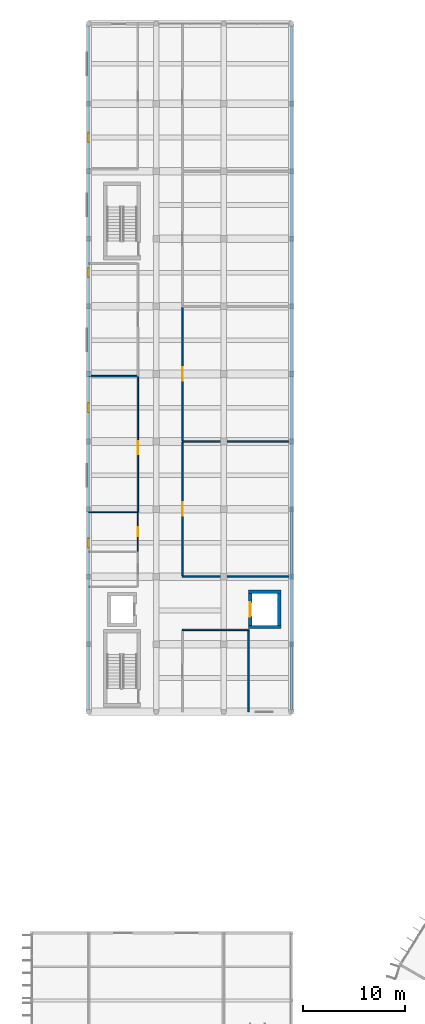
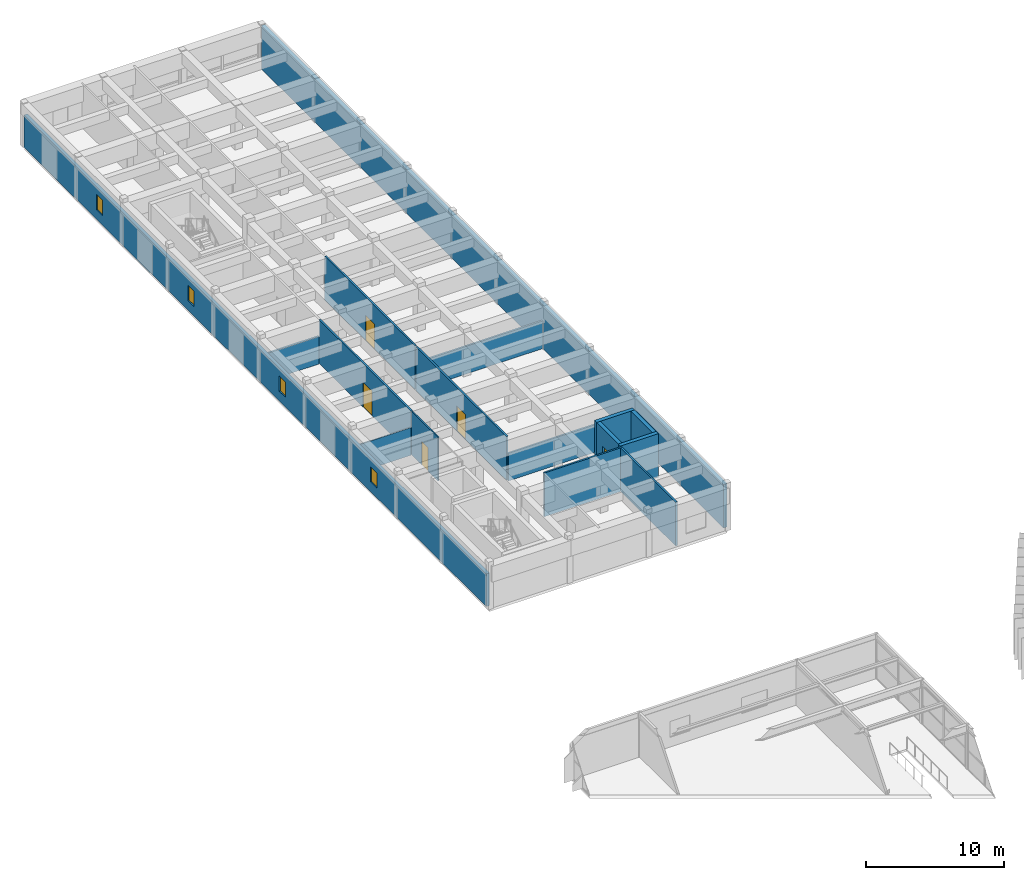
# One storey, part 142 of 157: 16 walls, 5 doors, 4 windows, 9 openings.
"""IFC4 building model written with IfcOpenShell, lengths in metres."""

from ifc_helpers import new_model, si_unit, direction, frame, frame_2d, origin, place, context, subcontext, project, spatial, rectangle, extrude, material, layer, layer_set, type_object, element, fill, save


model = new_model("IFC4")

# Units and contexts
model_context = context("Model", 3, precision=1e-05, world=origin(), true_north=direction((0.0, 1.0)))
body_context = subcontext(model_context, "Body", "Model", "MODEL_VIEW")
ifc_project = project(units=[si_unit("LENGTHUNIT", "METRE"), si_unit("AREAUNIT", "SQUARE_METRE"), si_unit("VOLUMEUNIT", "CUBIC_METRE"), si_unit("PLANEANGLEUNIT", "RADIAN"), si_unit("MASSUNIT", "GRAM", prefix="KILO")], contexts=[model_context])

# Site, building, storey
site_placement = place(None, origin())
site = spatial("IfcSite", under=ifc_project, at=site_placement, CompositionType="ELEMENT")
building_placement = place(site_placement, origin())
building = spatial("IfcBuilding", under=site, at=building_placement, Name="Karori Crest Natural Sciences Institute", CompositionType="ELEMENT")
storey_placement = place(building_placement, frame((0.0, 0.0, 13.300048828125)))
storey = spatial("IfcBuildingStorey", under=building, at=storey_placement, Name="L03", CompositionType="ELEMENT", Elevation=13.300048828125)

# Walls
ifc_material_1 = material(Name="Concrete 50 MPa", Category="concrete")
ifc_layer_1 = layer(ifc_material_1, 0.320068359375, Name="Concrete 50 MPa")
ifc_layer_set_1 = layer_set([ifc_layer_1], Name="Concrete 50 MPa")
wall_type_1 = type_object("IfcWallType", Name="IWT-03", PredefinedType="SHEAR", material=ifc_layer_set_1)
for number, where, z_axis, x_axis, name in (
    (1, (23.02001953125, 103.280029296875, 0.0), (0.0, 0.0, 1.0), (1.0, 0.0, 0.0), "Shear wall IW-0535"),
    (2, (23.02001953125, 106.719970703125, 0.0), (0.0, 0.0, 1.0), (1.0, 0.0, 0.0), "Shear wall IW-0536"),
):
    element("IfcWall", number, at=place(storey_placement, frame(where, z_axis=z_axis, x_axis=x_axis)), inside=storey, type_object=wall_type_1, Name=name, PredefinedType="SHEAR", context=body_context, shape_type="SweptSolid", body=[
        extrude(rectangle(XDim=3.159912109375, YDim=0.320068359375, at=frame_2d((1.580078125, 0.0))), origin(), (0.0, 0.0, 1.0), 3.849853515625),
    ])

# Wall, opening, door
wall_1_placement = place(storey_placement, frame((23.179931640625, 103.44189453125, 0.0), z_axis=(0.0, 0.0, 1.0), x_axis=(0.0, 1.0, 0.0)))
wall_1 = element("IfcWall", 3, at=wall_1_placement, inside=storey, type_object=wall_type_1, Name="Shear wall IW-0537", PredefinedType="SHEAR", context=body_context, shape_type="SweptSolid", body=[
    extrude(rectangle(XDim=3.1162109375, YDim=0.320068359375, at=frame_2d((1.55810546875, 0.0))), origin(), (0.0, 0.0, 1.0), 3.849853515625),
])
opening_1_placement = place(wall_1_placement, frame((0.85791015625, 0.0, 0.0)))
opening_1 = element("IfcOpeningElement", 4, at=opening_1_placement, cuts=wall_1, Name="Opening LD-0060", PredefinedType="OPENING", context=body_context, shape_type="SweptSolid", body=[
    extrude(rectangle(XDim=1.39990234375, YDim=2.25, at=frame_2d((0.699951171875, 1.125))), frame((0.0, 0.169921875, 0.0), z_axis=(0.0, -1.0, 0.0), x_axis=(1.0, 0.0, 0.0)), (0.0, 0.0, 1.0), 0.340087890625),
])
ifc_material_2 = material(Name="Stainless steel 316 and fire-rated timber", Category="steel")
door_type_1 = type_object("IfcDoorType", Name="LDT-03", OperationType="DOUBLE_DOOR_SLIDING", PredefinedType="DOOR", material=ifc_material_2)
door_1_placement = place(opening_1_placement, origin())
door_1 = element("IfcDoor", 5, at=door_1_placement, inside=storey, type_object=door_type_1, Name="Lift LG-01 landing door LD-0060", OperationType="DOUBLE_DOOR_SLIDING", OverallHeight=2.25, OverallWidth=1.39990234375, PredefinedType="DOOR", context=body_context, shape_type="SweptSolid", body=[
    extrude(rectangle(XDim=1.39990234375, YDim=2.25, at=frame_2d((0.699951171875, 1.125))), frame((0.0, 0.02490234375, 0.0), z_axis=(0.0, -1.0, 0.0), x_axis=(1.0, 0.0, 0.0)), (0.0, 0.0, 1.0), 0.050048828125),
])
fill(opening_1, door_1)

# Walls
wall_2_placement = place(storey_placement, frame((26.02001953125, 103.44189453125, 0.0), z_axis=(0.0, 0.0, 1.0), x_axis=(0.0, 1.0, 0.0)))
element("IfcWall", 6, at=wall_2_placement, inside=storey, type_object=wall_type_1, Name="Shear wall IW-0538", PredefinedType="SHEAR", context=body_context, shape_type="SweptSolid", body=[
    extrude(rectangle(XDim=3.1162109375, YDim=0.320068359375, at=frame_2d((1.55810546875, 0.0))), origin(), (0.0, 0.0, 1.0), 3.849853515625),
])
ifc_material_3 = material(Name="Clean-room insulated fire partition")
ifc_layer_2 = layer(ifc_material_3, 0.14990234375, Name="Clean-room insulated fire partition")
ifc_layer_set_2 = layer_set([ifc_layer_2], Name="Clean-room insulated fire partition")
wall_type_2 = type_object("IfcWallType", Name="IWT-06", PredefinedType="PARTITIONING", material=ifc_layer_set_2)
wall_3_placement = place(storey_placement, frame((7.39990234375, 127.800048828125, 0.0), z_axis=(0.0, 0.0, 1.0), x_axis=(1.0, 0.0, 0.0)))
element("IfcWall", 7, at=wall_3_placement, inside=storey, type_object=wall_type_2, Name="Partition wall IW-0985", PredefinedType="PARTITIONING", context=body_context, shape_type="SweptSolid", body=[
    extrude(rectangle(XDim=4.697998046875, YDim=0.14990234375, at=frame_2d((2.34912109375, 0.0))), origin(), (0.0, 0.0, 1.0), 2.43505859375),
])

# Wall, opening, door
wall_4_placement = place(storey_placement, frame((12.199951171875, 114.501953125, 0.0), z_axis=(0.0, 0.0, 1.0), x_axis=(0.0, 1.0, 0.0)))
wall_4 = element("IfcWall", 8, at=wall_4_placement, inside=storey, type_object=wall_type_2, Name="Partition wall IW-0986", PredefinedType="PARTITIONING", context=body_context, shape_type="SweptSolid", body=[
    extrude(rectangle(XDim=13.298095703125, YDim=0.14990234375, at=frame_2d((6.64892578125, 0.0))), origin(), (0.0, 0.0, 1.0), 3.849853515625),
])
opening_2_placement = place(wall_4_placement, frame((5.64892578125, 0.0, 0.0)))
opening_2 = element("IfcOpeningElement", 9, at=opening_2_placement, cuts=wall_4, Name="Opening ID-0264", PredefinedType="OPENING", context=body_context, shape_type="SweptSolid", body=[
    extrude(rectangle(XDim=1.300048828125, YDim=2.199951171875, at=frame_2d((0.64990234375, 1.10009765625))), frame((0.0, 0.0849609375, 0.0), z_axis=(0.0, -1.0, 0.0), x_axis=(1.0, 0.0, 0.0)), (0.0, 0.0, 1.0), 0.169921875),
])
door_type_2 = type_object("IfcDoorType", Name="IDT-04", OperationType="NOTDEFINED", PredefinedType="DOOR", material=ifc_material_2)
door_2_placement = place(opening_2_placement, origin())
door_2 = element("IfcDoor", 10, at=door_2_placement, inside=storey, type_object=door_type_2, Name="Clean-Room Gowning Airlock Suite door ID-0264", OperationType="SINGLE_SWING_RIGHT", OverallHeight=2.199951171875, OverallWidth=1.300048828125, PredefinedType="DOOR", context=body_context, shape_type="SweptSolid", body=[
    extrude(rectangle(XDim=1.300048828125, YDim=2.199951171875, at=frame_2d((0.64990234375, 1.10009765625))), frame((0.0, 0.02490234375, 0.0), z_axis=(0.0, -1.0, 0.0), x_axis=(1.0, 0.0, 0.0)), (0.0, 0.0, 1.0), 0.050048828125),
])
fill(opening_2, door_2)

# Walls
wall_5_placement = place(storey_placement, frame((16.550048828125, 103.0, 0.0), z_axis=(0.0, 0.0, 1.0), x_axis=(1.0, 0.0, 0.0)))
element("IfcWall", 11, at=wall_5_placement, inside=storey, type_object=wall_type_2, Name="Partition wall IW-0991", PredefinedType="PARTITIONING", context=body_context, shape_type="SweptSolid", body=[
    extrude(rectangle(XDim=6.449951171875, YDim=0.14990234375, at=frame_2d((3.22509765625, 0.0))), origin(), (0.0, 0.0, 1.0), 3.849853515625),
])
wall_6_placement = place(storey_placement, frame((23.0, 95.0, 0.0), z_axis=(0.0, 0.0, 1.0), x_axis=(0.0, 1.0, 0.0)))
element("IfcWall", 12, at=wall_6_placement, inside=storey, type_object=wall_type_2, Name="Partition wall IW-0993", PredefinedType="PARTITIONING", context=body_context, shape_type="SweptSolid", body=[
    extrude(rectangle(XDim=8.0, YDim=0.14990234375, at=frame_2d((4.0, 0.0))), origin(), (0.0, 0.0, 1.0), 3.849853515625),
])
for number, where, z_axis, x_axis, name in (
    (13, (16.550048828125, 108.199951171875, 0.0), (0.0, 0.0, 1.0), (1.0, 0.0, 0.0), "Partition wall IW-0994"),
    (14, (16.550048828125, 121.39990234375, 0.0), (0.0, 0.0, 1.0), (1.0, 0.0, 0.0), "Partition wall IW-0995"),
):
    element("IfcWall", number, at=place(storey_placement, frame(where, z_axis=z_axis, x_axis=x_axis)), inside=storey, type_object=wall_type_2, Name=name, PredefinedType="PARTITIONING", context=body_context, shape_type="SweptSolid", body=[
        extrude(rectangle(XDim=10.537841796875, YDim=0.14990234375, at=frame_2d((5.26904296875, 0.0))), origin(), (0.0, 0.0, 1.0), 2.43505859375),
    ])

# Wall, opening, door
wall_7_placement = place(storey_placement, frame((16.550048828125, 108.277099609375, 0.0), z_axis=(0.0, 0.0, 1.0), x_axis=(0.0, 1.0, 0.0)))
wall_7 = element("IfcWall", 15, at=wall_7_placement, inside=storey, type_object=wall_type_2, Name="Partition wall IW-0996", PredefinedType="PARTITIONING", context=body_context, shape_type="SweptSolid", body=[
    extrude(rectangle(XDim=13.0458984375, YDim=0.14990234375, at=frame_2d((6.52294921875, 0.0))), origin(), (0.0, 0.0, 1.0), 3.849853515625),
])
opening_3_placement = place(wall_7_placement, frame((5.873046875, 0.0, 0.0)))
opening_3 = element("IfcOpeningElement", 16, at=opening_3_placement, cuts=wall_7, Name="Opening ID-0268", PredefinedType="OPENING", context=body_context, shape_type="SweptSolid", body=[
    extrude(rectangle(XDim=1.300048828125, YDim=2.199951171875, at=frame_2d((0.64990234375, 1.10009765625))), frame((0.0, 0.0849609375, 0.0), z_axis=(0.0, -1.0, 0.0), x_axis=(1.0, 0.0, 0.0)), (0.0, 0.0, 1.0), 0.169921875),
])
door_3_placement = place(opening_3_placement, origin())
door_3 = element("IfcDoor", 17, at=door_3_placement, inside=storey, type_object=door_type_2, Name="ISO Class 6 Nanofabrication Clean Room door ID-0268", OperationType="SINGLE_SWING_RIGHT", OverallHeight=2.199951171875, OverallWidth=1.300048828125, PredefinedType="DOOR", context=body_context, shape_type="SweptSolid", body=[
    extrude(rectangle(XDim=1.300048828125, YDim=2.199951171875, at=frame_2d((0.64990234375, 1.10009765625))), frame((0.0, 0.02490234375, 0.0), z_axis=(0.0, -1.0, 0.0), x_axis=(1.0, 0.0, 0.0)), (0.0, 0.0, 1.0), 0.050048828125),
])
fill(opening_3, door_3)

wall_8_placement = place(storey_placement, frame((16.550048828125, 121.47705078125, 0.0), z_axis=(0.0, 0.0, 1.0), x_axis=(0.0, 1.0, 0.0)))
wall_8 = element("IfcWall", 18, at=wall_8_placement, inside=storey, type_object=wall_type_2, Name="Partition wall IW-0998", PredefinedType="PARTITIONING", context=body_context, shape_type="SweptSolid", body=[
    extrude(rectangle(XDim=13.0458984375, YDim=0.14990234375, at=frame_2d((6.52294921875, 0.0))), origin(), (0.0, 0.0, 1.0), 3.849853515625),
])
opening_4_placement = place(wall_8_placement, frame((5.873046875, 0.0, 0.0)))
opening_4 = element("IfcOpeningElement", 19, at=opening_4_placement, cuts=wall_8, Name="Opening ID-0269", PredefinedType="OPENING", context=body_context, shape_type="SweptSolid", body=[
    extrude(rectangle(XDim=1.300048828125, YDim=2.199951171875, at=frame_2d((0.64990234375, 1.10009765625))), frame((0.0, 0.0849609375, 0.0), z_axis=(0.0, -1.0, 0.0), x_axis=(1.0, 0.0, 0.0)), (0.0, 0.0, 1.0), 0.169921875),
])
door_4_placement = place(opening_4_placement, origin())
door_4 = element("IfcDoor", 20, at=door_4_placement, inside=storey, type_object=door_type_2, Name="ISO Class 7 Bio-MEMS Clean Room door ID-0269", OperationType="SINGLE_SWING_LEFT", OverallHeight=2.199951171875, OverallWidth=1.300048828125, PredefinedType="DOOR", context=body_context, shape_type="SweptSolid", body=[
    extrude(rectangle(XDim=1.300048828125, YDim=2.199951171875, at=frame_2d((0.64990234375, 1.10009765625))), frame((0.0, 0.02490234375, 0.0), z_axis=(0.0, -1.0, 0.0), x_axis=(1.0, 0.0, 0.0)), (0.0, 0.0, 1.0), 0.050048828125),
])
fill(opening_4, door_4)

# Wall
ifc_material_4 = material(Name="Washroom moisture-resistant partition")
ifc_layer_3 = layer(ifc_material_4, 0.10009765625, Name="Washroom moisture-resistant partition")
ifc_layer_set_3 = layer_set([ifc_layer_3], Name="Washroom moisture-resistant partition")
wall_type_3 = type_object("IfcWallType", Name="IWT-09", PredefinedType="PARTITIONING", material=ifc_layer_set_3)
wall_9_placement = place(storey_placement, frame((7.39990234375, 114.5, 0.0), z_axis=(0.0, 0.0, 1.0), x_axis=(1.0, 0.0, 0.0)))
element("IfcWall", 21, at=wall_9_placement, inside=storey, type_object=wall_type_3, Name="Partition wall IW-0983", PredefinedType="PARTITIONING", context=body_context, shape_type="SweptSolid", body=[
    extrude(rectangle(XDim=4.697998046875, YDim=0.10009765625, at=frame_2d((2.34912109375, 0.0))), origin(), (0.0, 0.0, 1.0), 2.43505859375),
])

# Wall, opening, door
wall_10_placement = place(storey_placement, frame((12.199951171875, 110.652099609375, 0.0), z_axis=(0.0, 0.0, 1.0), x_axis=(0.0, 1.0, 0.0)))
wall_10 = element("IfcWall", 22, at=wall_10_placement, inside=storey, type_object=wall_type_3, Name="Partition wall IW-0984", PredefinedType="PARTITIONING", context=body_context, shape_type="SweptSolid", body=[
    extrude(rectangle(XDim=3.847900390625, YDim=0.10009765625, at=frame_2d((1.923828125, 0.0))), origin(), (0.0, 0.0, 1.0), 3.849853515625),
])
opening_5_placement = place(wall_10_placement, frame((1.48388671875, 0.0, 0.0)))
opening_5 = element("IfcOpeningElement", 23, at=opening_5_placement, cuts=wall_10, Name="Opening ID-0263", PredefinedType="OPENING", context=body_context, shape_type="SweptSolid", body=[
    extrude(rectangle(XDim=0.8798828125, YDim=2.080078125, at=frame_2d((0.43994140625, 1.0400390625))), frame((0.0, 0.06005859375, 0.0), z_axis=(0.0, -1.0, 0.0), x_axis=(1.0, 0.0, 0.0)), (0.0, 0.0, 1.0), 0.1201171875),
])
ifc_material_5 = material(Name="Anodised aluminium and acoustic timber", Category="wood")
door_type_3 = type_object("IfcDoorType", Name="IDT-10", OperationType="NOTDEFINED", PredefinedType="DOOR", material=ifc_material_5)
door_5_placement = place(opening_5_placement, origin())
door_5 = element("IfcDoor", 24, at=door_5_placement, inside=storey, type_object=door_type_3, Name="Unisex Washroom WC door ID-0263", OperationType="SINGLE_SWING_LEFT", OverallHeight=2.080078125, OverallWidth=0.8798828125, PredefinedType="DOOR", context=body_context, shape_type="SweptSolid", body=[
    extrude(rectangle(XDim=0.8798828125, YDim=2.080078125, at=frame_2d((0.43994140625, 1.0400390625))), frame((0.0, 0.02490234375, 0.0), z_axis=(0.0, -1.0, 0.0), x_axis=(1.0, 0.0, 0.0)), (0.0, 0.0, 1.0), 0.050048828125),
])
fill(opening_5, door_5)

# Wall
ifc_material_6 = material(Name="Precast concrete 40 MPa", Category="concrete")
ifc_layer_4 = layer(ifc_material_6, 0.300048828125, Name="Precast concrete 40 MPa")
ifc_layer_set_4 = layer_set([ifc_layer_4], Name="Precast concrete 40 MPa")
wall_type_4 = type_object("IfcWallType", Name="WT-01", PredefinedType="SOLIDWALL", material=ifc_layer_set_4)
wall_11_placement = place(storey_placement, frame((27.199951171875, 161.97705078125, 0.0), z_axis=(0.0, 0.0, 1.0), x_axis=(0.0, -1.0, 0.0)))
element("IfcWall", 25, at=wall_11_placement, inside=storey, type_object=wall_type_4, Name="Exterior wall EW-0169", PredefinedType="SOLIDWALL", context=body_context, shape_type="SweptSolid", body=[
    extrude(rectangle(XDim=66.754150390625, YDim=0.300048828125, at=frame_2d((33.376953125, 0.0))), origin(), (0.0, 0.0, 1.0), 3.83984375),
])

# Wall, openings, windows
ifc_layer_5 = layer(ifc_material_6, 0.260009765625, Name="Precast concrete 40 MPa")
ifc_layer_set_5 = layer_set([ifc_layer_5], Name="Precast concrete 40 MPa")
wall_type_5 = type_object("IfcWallType", Name="WT-03", PredefinedType="SOLIDWALL", material=ifc_layer_set_5)
wall_12_placement = place(storey_placement, frame((7.39990234375, 95.222900390625, 0.0), z_axis=(0.0, 0.0, 1.0), x_axis=(0.0, 1.0, 0.0)))
wall_12 = element("IfcWall", 26, at=wall_12_placement, inside=storey, type_object=wall_type_5, Name="Exterior wall EW-0170", PredefinedType="SOLIDWALL", context=body_context, shape_type="SweptSolid", body=[
    extrude(rectangle(XDim=66.754150390625, YDim=0.260009765625, at=frame_2d((33.376953125, 0.0))), origin(), (0.0, 0.0, 1.0), 2.885009765625),
])
opening_6_placement = place(wall_12_placement, frame((15.826904296875, 0.0, 0.85009765625)))
opening_6 = element("IfcOpeningElement", 27, at=opening_6_placement, cuts=wall_12, Name="Opening WN-0110", PredefinedType="OPENING", context=body_context, shape_type="SweptSolid", body=[
    extrude(rectangle(XDim=0.89990234375, YDim=1.35009765625, at=frame_2d((0.449951171875, 0.675048828125))), frame((0.0, 0.14013671875, 0.0), z_axis=(0.0, -1.0, 0.0), x_axis=(1.0, 0.0, 0.0)), (0.0, 0.0, 1.0), 0.280029296875),
])
opening_7_placement = place(wall_12_placement, frame((29.027099609375, 0.0, 0.85009765625)))
opening_7 = element("IfcOpeningElement", 28, at=opening_7_placement, cuts=wall_12, Name="Opening WN-0111", PredefinedType="OPENING", context=body_context, shape_type="SweptSolid", body=[
    extrude(rectangle(XDim=0.89990234375, YDim=1.35009765625, at=frame_2d((0.449951171875, 0.675048828125))), frame((0.0, 0.14013671875, 0.0), z_axis=(0.0, -1.0, 0.0), x_axis=(1.0, 0.0, 0.0)), (0.0, 0.0, 1.0), 0.280029296875),
])
opening_8_placement = place(wall_12_placement, frame((42.22705078125, 0.0, 0.85009765625)))
opening_8 = element("IfcOpeningElement", 29, at=opening_8_placement, cuts=wall_12, Name="Opening WN-0112", PredefinedType="OPENING", context=body_context, shape_type="SweptSolid", body=[
    extrude(rectangle(XDim=0.89990234375, YDim=1.35009765625, at=frame_2d((0.449951171875, 0.675048828125))), frame((0.0, 0.14013671875, 0.0), z_axis=(0.0, -1.0, 0.0), x_axis=(1.0, 0.0, 0.0)), (0.0, 0.0, 1.0), 0.280029296875),
])
opening_9_placement = place(wall_12_placement, frame((55.427001953125, 0.0, 0.85009765625)))
opening_9 = element("IfcOpeningElement", 30, at=opening_9_placement, cuts=wall_12, Name="Opening WN-0113", PredefinedType="OPENING", context=body_context, shape_type="SweptSolid", body=[
    extrude(rectangle(XDim=0.89990234375, YDim=1.35009765625, at=frame_2d((0.449951171875, 0.675048828125))), frame((0.0, 0.14013671875, 0.0), z_axis=(0.0, -1.0, 0.0), x_axis=(1.0, 0.0, 0.0)), (0.0, 0.0, 1.0), 0.280029296875),
])
ifc_material_7 = material(Name="Double low-E laminated glass", Category="glass")
window_type = type_object("IfcWindowType", Name="WNT-17", PartitioningType="SINGLE_PANEL", PredefinedType="WINDOW", material=ifc_material_7)
window_1_placement = place(opening_6_placement, origin())
window_1 = element("IfcWindow", 31, at=window_1_placement, inside=storey, type_object=window_type, Name="Window WN-0110", OverallHeight=1.35009765625, OverallWidth=0.89990234375, PartitioningType="SINGLE_PANEL", PredefinedType="WINDOW", context=body_context, shape_type="SweptSolid", body=[
    extrude(rectangle(XDim=0.89990234375, YDim=1.35009765625, at=frame_2d((0.449951171875, 0.675048828125))), frame((0.0, 0.030029296875, 0.0), z_axis=(0.0, -1.0, 0.0), x_axis=(1.0, 0.0, 0.0)), (0.0, 0.0, 1.0), 0.06005859375),
])
fill(opening_6, window_1)
window_2_placement = place(opening_7_placement, origin())
window_2 = element("IfcWindow", 32, at=window_2_placement, inside=storey, type_object=window_type, Name="Window WN-0111", OverallHeight=1.35009765625, OverallWidth=0.89990234375, PartitioningType="SINGLE_PANEL", PredefinedType="WINDOW", context=body_context, shape_type="SweptSolid", body=[
    extrude(rectangle(XDim=0.89990234375, YDim=1.35009765625, at=frame_2d((0.449951171875, 0.675048828125))), frame((0.0, 0.030029296875, 0.0), z_axis=(0.0, -1.0, 0.0), x_axis=(1.0, 0.0, 0.0)), (0.0, 0.0, 1.0), 0.06005859375),
])
fill(opening_7, window_2)
window_3_placement = place(opening_8_placement, origin())
window_3 = element("IfcWindow", 33, at=window_3_placement, inside=storey, type_object=window_type, Name="Window WN-0112", OverallHeight=1.35009765625, OverallWidth=0.89990234375, PartitioningType="SINGLE_PANEL", PredefinedType="WINDOW", context=body_context, shape_type="SweptSolid", body=[
    extrude(rectangle(XDim=0.89990234375, YDim=1.35009765625, at=frame_2d((0.449951171875, 0.675048828125))), frame((0.0, 0.030029296875, 0.0), z_axis=(0.0, -1.0, 0.0), x_axis=(1.0, 0.0, 0.0)), (0.0, 0.0, 1.0), 0.06005859375),
])
fill(opening_8, window_3)
window_4_placement = place(opening_9_placement, origin())
window_4 = element("IfcWindow", 34, at=window_4_placement, inside=storey, type_object=window_type, Name="Window WN-0113", OverallHeight=1.35009765625, OverallWidth=0.89990234375, PartitioningType="SINGLE_PANEL", PredefinedType="WINDOW", context=body_context, shape_type="SweptSolid", body=[
    extrude(rectangle(XDim=0.89990234375, YDim=1.35009765625, at=frame_2d((0.449951171875, 0.675048828125))), frame((0.0, 0.030029296875, 0.0), z_axis=(0.0, -1.0, 0.0), x_axis=(1.0, 0.0, 0.0)), (0.0, 0.0, 1.0), 0.06005859375),
])
fill(opening_9, window_4)

save(model, "model.ifc")
